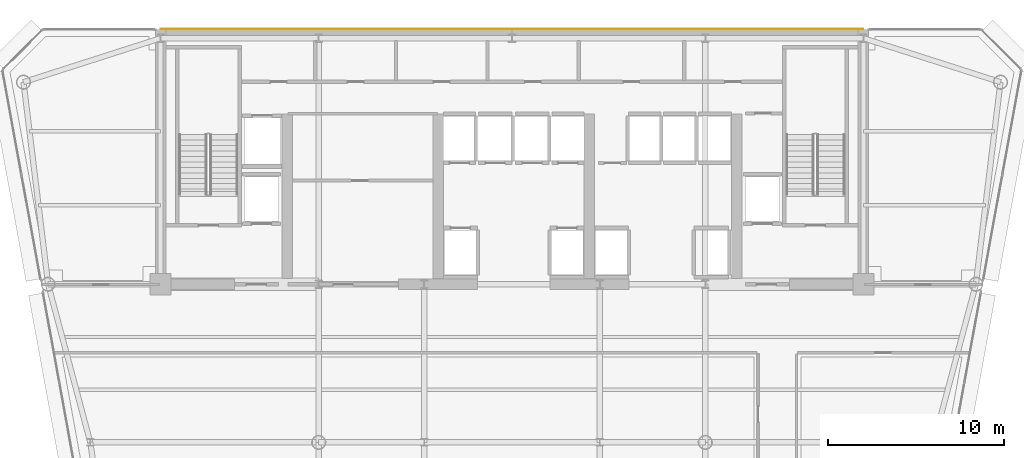
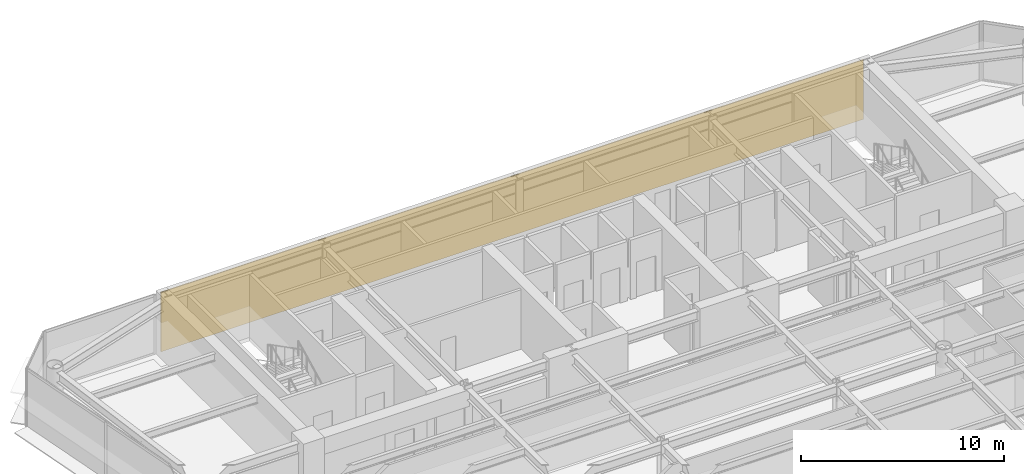
# One storey, part 16 of 17: 1 covering.
"""IFC4 building model written with IfcOpenShell, lengths in metres."""

from ifc_helpers import new_model, si_unit, direction, frame, origin, place, context, subcontext, project, spatial, polyline, outline, extrude, material, layer, layer_set, type_object, element, save


model = new_model("IFC4")

# Units and contexts
model_context = context("Model", 3, precision=1e-05, world=origin(), true_north=direction((0.0, 1.0)))
body_context = subcontext(model_context, "Body", "Model", "MODEL_VIEW")
ifc_project = project(units=[si_unit("LENGTHUNIT", "METRE"), si_unit("AREAUNIT", "SQUARE_METRE"), si_unit("VOLUMEUNIT", "CUBIC_METRE"), si_unit("PLANEANGLEUNIT", "RADIAN"), si_unit("MASSUNIT", "GRAM", prefix="KILO")], contexts=[model_context])

# Site, building, storey
site_placement = place(None, origin())
site = spatial("IfcSite", under=ifc_project, at=site_placement, CompositionType="ELEMENT")
building_placement = place(site_placement, origin())
building = spatial("IfcBuilding", under=site, at=building_placement, Name="Vaeldorn Concourse Tower", CompositionType="ELEMENT")
storey_placement = place(building_placement, frame((0.0, 0.0, 172.800048828125)))
storey = spatial("IfcBuildingStorey", under=building, at=storey_placement, Name="L44", CompositionType="ELEMENT", Elevation=172.800048828125)

# Covering
ifc_material = material(Name="Anodised Bronze Aluminium", Category="aluminium")
ifc_layer = layer(ifc_material, 0.050048828125)
ifc_layer_set = layer_set([ifc_layer], Name="Anodised Bronze Aluminium")
covering_type = type_object("IfcCoveringType", Name="COV-CLAD-BRONZE", PredefinedType="CLADDING", material=ifc_layer_set)
covering_placement = place(storey_placement, origin())
element("IfcCovering", 1, at=covering_placement, inside=storey, type_object=covering_type, Name="Rear Core Bronze Spandrel Cladding L44", PredefinedType="CLADDING", context=body_context, shape_type="SweptSolid", body=[
    extrude(outline(polyline([(14.0, 51.0), (54.0, 51.0), (54.0, 51.050048828125), (14.0, 51.050048828125), (14.0, 51.0)])), origin(), (0.0, 0.0, 1.0), 3.579833984375),
])

save(model, "model.ifc")
